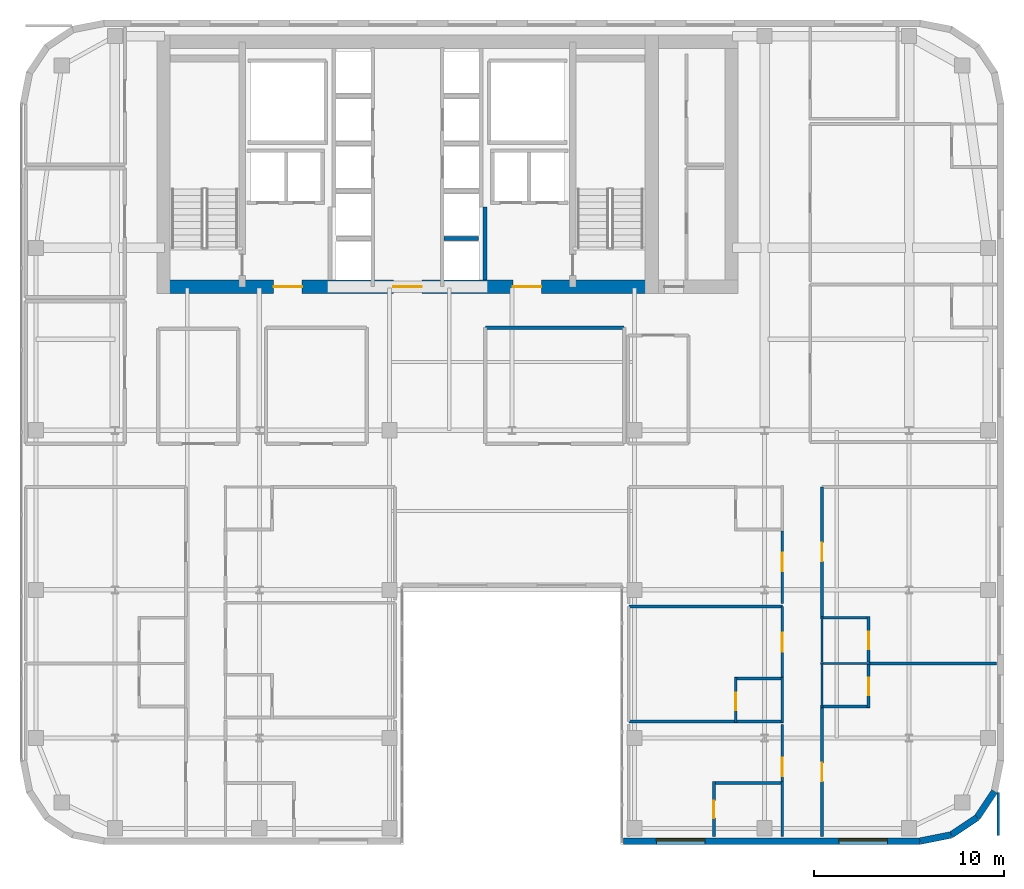
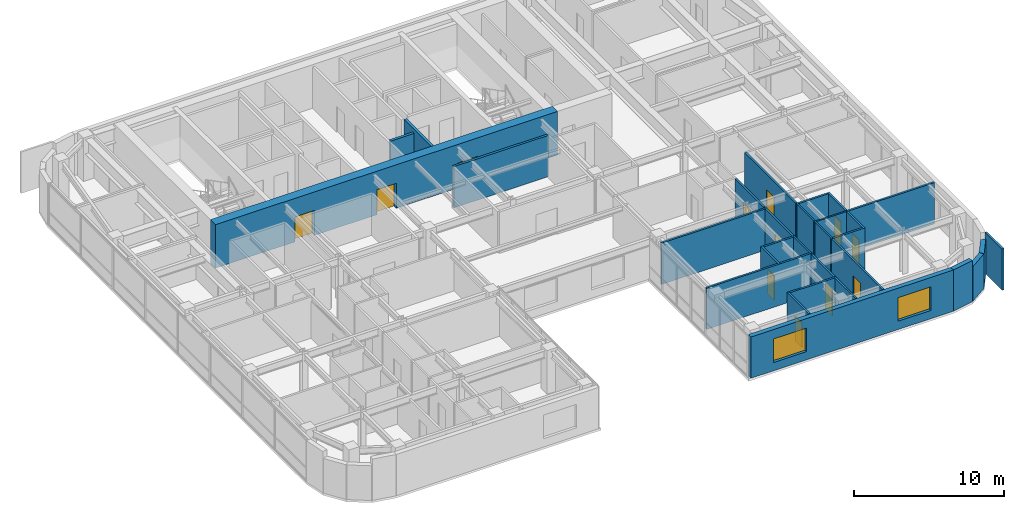
# One storey, part 19 of 24: 30 walls, 12 doors, 2 windows, 14 openings.
"""IFC4 building model written with IfcOpenShell, lengths in metres."""

from ifc_helpers import new_model, si_unit, direction, frame, frame_2d, origin, place, context, subcontext, project, spatial, rectangle, extrude, source, transform, mapped, material, layer, layer_set, type_object, type_shapes, element, fill, save


model = new_model("IFC4")

# Units and contexts
model_context = context("Model", 3, precision=1e-05, world=origin(), true_north=direction((0.0, 1.0)))
body_context = subcontext(model_context, "Body", "Model", "MODEL_VIEW")
ifc_project = project(units=[si_unit("LENGTHUNIT", "METRE"), si_unit("AREAUNIT", "SQUARE_METRE"), si_unit("VOLUMEUNIT", "CUBIC_METRE"), si_unit("PLANEANGLEUNIT", "RADIAN"), si_unit("MASSUNIT", "GRAM", prefix="KILO")], contexts=[model_context])

# Site, building, storey
site_placement = place(None, origin())
site = spatial("IfcSite", under=ifc_project, at=site_placement, CompositionType="ELEMENT")
building_placement = place(site_placement, origin())
building = spatial("IfcBuilding", under=site, at=building_placement, Name="Tolvann Quenvar Hotel", CompositionType="ELEMENT")
storey_placement = place(building_placement, frame((0.0, 0.0, 194.64990234375)))
storey = spatial("IfcBuildingStorey", under=building, at=storey_placement, Name="L51", CompositionType="ELEMENT", Elevation=194.64990234375)

# Wall, openings, doors
ifc_material_1 = material(Name="Concrete S65 (65 MPa)", Category="concrete")
ifc_layer_1 = layer(ifc_material_1, 0.699951171875)
ifc_layer_set_1 = layer_set([ifc_layer_1], Name="Concrete S65 (65 MPa)")
wall_type_1 = type_object("IfcWallType", Name="WALL_CORE_700", PredefinedType="SHEAR", material=ifc_layer_set_1)
wall_1_placement = place(storey_placement, frame((9.800048828125, 31.949951171875, 0.0), z_axis=(0.0, 0.0, 1.0), x_axis=(1.0, 0.0, 0.0)))
wall_1 = element("IfcWall", 1, at=wall_1_placement, inside=storey, type_object=wall_type_1, Name="Rear Core S Shear Wall (L51)", PredefinedType="SHEAR", context=body_context, shape_type="SweptSolid", body=[
    extrude(rectangle(XDim=26.39990234375, YDim=0.699951171875, at=frame_2d((13.199951171875, 0.0))), origin(), (0.0, 0.0, 1.0), 3.550048828125),
])
opening_1_placement = place(wall_1_placement, frame((7.64990234375, 0.0, 0.0), z_axis=(0.0, 0.0, 1.0), x_axis=(-1.0, 0.0, 0.0)))
opening_1 = element("IfcOpeningElement", 2, at=opening_1_placement, cuts=wall_1, Name="Opening FD-60D", PredefinedType="OPENING", context=body_context, shape_type="SweptSolid", body=[
    extrude(rectangle(XDim=1.5, YDim=2.0400390625, at=frame_2d((0.75, 1.02001953125))), frame((0.0, 0.35986328125, 0.0), z_axis=(0.0, -1.0, 0.0), x_axis=(1.0, 0.0, 0.0)), (0.0, 0.0, 1.0), 0.719970703125),
])
opening_2_placement = place(wall_1_placement, frame((13.949951171875, 0.0, 0.0), z_axis=(0.0, 0.0, 1.0), x_axis=(-1.0, 0.0, 0.0)))
opening_2 = element("IfcOpeningElement", 3, at=opening_2_placement, cuts=wall_1, Name="Opening FD-60D", PredefinedType="OPENING", context=body_context, shape_type="SweptSolid", body=[
    extrude(rectangle(XDim=1.5, YDim=2.0400390625, at=frame_2d((0.75, 1.02001953125))), frame((0.0, 0.35986328125, 0.0), z_axis=(0.0, -1.0, 0.0), x_axis=(1.0, 0.0, 0.0)), (0.0, 0.0, 1.0), 0.719970703125),
])
opening_3_placement = place(wall_1_placement, frame((20.25, 0.0, 0.0), z_axis=(0.0, 0.0, 1.0), x_axis=(-1.0, 0.0, 0.0)))
opening_3 = element("IfcOpeningElement", 4, at=opening_3_placement, cuts=wall_1, Name="Opening FD-60D", PredefinedType="OPENING", context=body_context, shape_type="SweptSolid", body=[
    extrude(rectangle(XDim=1.5, YDim=2.0400390625, at=frame_2d((0.75, 1.02001953125))), frame((0.0, 0.35986328125, 0.0), z_axis=(0.0, -1.0, 0.0), x_axis=(1.0, 0.0, 0.0)), (0.0, 0.0, 1.0), 0.719970703125),
])
ifc_material_2 = material(Name="Solid-core American oak acoustic fire door leaf in steel frame", Category="steel")
door_type_1 = type_object("IfcDoorType", Name="DOOR_FIRE_LOBBY_1500", OperationType="NOTDEFINED", PredefinedType="DOOR", material=ifc_material_2)
shared_shape_1 = source(origin(), body_context, "Body", "SweptSolid", [
    extrude(rectangle(XDim=1.5, YDim=2.0400390625, at=frame_2d((0.75, 1.02001953125))), frame((0.0, 0.02490234375, 0.0), z_axis=(0.0, -1.0, 0.0), x_axis=(1.0, 0.0, 0.0)), (0.0, 0.0, 1.0), 0.050048828125),
])
type_shapes(door_type_1, [shared_shape_1])
door_1_placement = place(opening_1_placement, origin())
door_1 = element("IfcDoor", 5, at=door_1_placement, inside=storey, type_object=door_type_1, Name="Core Lobby Fire Door FFW (L51)", OperationType="DOUBLE_DOOR_SINGLE_SWING", OverallHeight=2.0400390625, OverallWidth=1.5, PredefinedType="DOOR", context=body_context, shape_type="MappedRepresentation", body=[
    mapped(shared_shape_1, transform((0.0, 0.0, 0.0), x_axis=(1.0, 0.0, 0.0), y_axis=(0.0, 1.0, 0.0), z_axis=(0.0, 0.0, 1.0), scale=1.0)),
])
fill(opening_1, door_1)
door_2_placement = place(opening_2_placement, origin())
door_2 = element("IfcDoor", 6, at=door_2_placement, inside=storey, type_object=door_type_1, Name="Core Lobby Fire Door CLOB (L51)", OperationType="DOUBLE_DOOR_SINGLE_SWING", OverallHeight=2.0400390625, OverallWidth=1.5, PredefinedType="DOOR", context=body_context, shape_type="MappedRepresentation", body=[
    mapped(shared_shape_1, transform((0.0, 0.0, 0.0), x_axis=(1.0, 0.0, 0.0), y_axis=(0.0, 1.0, 0.0), z_axis=(0.0, 0.0, 1.0), scale=1.0)),
])
fill(opening_2, door_2)
door_3_placement = place(opening_3_placement, origin())
door_3 = element("IfcDoor", 7, at=door_3_placement, inside=storey, type_object=door_type_1, Name="Core Lobby Fire Door FFE (L51)", OperationType="DOUBLE_DOOR_SINGLE_SWING", OverallHeight=2.0400390625, OverallWidth=1.5, PredefinedType="DOOR", context=body_context, shape_type="MappedRepresentation", body=[
    mapped(shared_shape_1, transform((0.0, 0.0, 0.0), x_axis=(1.0, 0.0, 0.0), y_axis=(0.0, 1.0, 0.0), z_axis=(0.0, 0.0, 1.0), scale=1.0)),
])
fill(opening_3, door_3)

# Wall, openings, windows
ifc_material_3 = material(Name="Kiln-fired red and buff architectural clay brickwork and terracotta masonry", Category="masonry")
ifc_layer_2 = layer(ifc_material_3, 0.35009765625)
ifc_layer_set_2 = layer_set([ifc_layer_2], Name="Kiln-fired red and buff architectural clay brickwork and terracotta masonry")
wall_type_2 = type_object("IfcWallType", Name="WALL_EXT_BRICK_350", PredefinedType="SOLIDWALL", material=ifc_layer_set_2)
wall_2_placement = place(storey_placement, frame((34.375, 2.77490234375, 0.0), z_axis=(0.0, 0.0, 1.0), x_axis=(1.0, 0.0, 0.0)))
wall_2 = element("IfcWall", 8, at=wall_2_placement, inside=storey, type_object=wall_type_2, Name="Exterior Chicago Brick Wall L51-E08", PredefinedType="SOLIDWALL", context=body_context, shape_type="SweptSolid", body=[
    extrude(rectangle(XDim=15.60791015625, YDim=0.35009765625, at=frame_2d((7.803955078125, 0.0))), origin(), (0.0, 0.0, 1.0), 3.3701171875),
])
opening_4_placement = place(wall_2_placement, frame((1.72607421875, 0.0, 0.679931640625)))
opening_4 = element("IfcOpeningElement", 9, at=opening_4_placement, cuts=wall_2, Name="Opening W-09", PredefinedType="OPENING", context=body_context, shape_type="SweptSolid", body=[
    extrude(rectangle(XDim=2.550048828125, YDim=1.919921875, at=frame_2d((1.27490234375, 0.9599609375))), frame((0.0, 0.18505859375, 0.0), z_axis=(0.0, -1.0, 0.0), x_axis=(1.0, 0.0, 0.0)), (0.0, 0.0, 1.0), 0.3701171875),
])
opening_5_placement = place(wall_2_placement, frame((11.3310546875, 0.0, 0.679931640625)))
opening_5 = element("IfcOpeningElement", 10, at=opening_5_placement, cuts=wall_2, Name="Opening W-09", PredefinedType="OPENING", context=body_context, shape_type="SweptSolid", body=[
    extrude(rectangle(XDim=2.550048828125, YDim=1.919921875, at=frame_2d((1.27490234375, 0.9599609375))), frame((0.0, 0.18505859375, 0.0), z_axis=(0.0, -1.0, 0.0), x_axis=(1.0, 0.0, 0.0)), (0.0, 0.0, 1.0), 0.3701171875),
])
ifc_material_4 = material(Name="Thermally broken bronze-anodised aluminium frame with double low-E glazing", Category="aluminium")
window_type = type_object("IfcWindowType", Name="WIN_LNG_2550x1950", PartitioningType="TRIPLE_PANEL_HORIZONTAL", PredefinedType="WINDOW", material=ifc_material_4)
shared_shape_2 = source(origin(), body_context, "Body", "SweptSolid", [
    extrude(rectangle(XDim=2.550048828125, YDim=1.919921875, at=frame_2d((1.27490234375, 0.9599609375))), frame((0.0, 0.090087890625, 0.0), z_axis=(0.0, -1.0, 0.0), x_axis=(1.0, 0.0, 0.0)), (0.0, 0.0, 1.0), 0.06005859375),
])
type_shapes(window_type, [shared_shape_2])
window_1_placement = place(opening_4_placement, origin())
window_1 = element("IfcWindow", 11, at=window_1_placement, inside=storey, type_object=window_type, Name="Chicago Window W-09 (EW-L51-E08-W01)", OverallHeight=1.919921875, OverallWidth=2.550048828125, PartitioningType="TRIPLE_PANEL_HORIZONTAL", PredefinedType="WINDOW", context=body_context, shape_type="MappedRepresentation", body=[
    mapped(shared_shape_2, transform((0.0, 0.0, 0.0), x_axis=(1.0, 0.0, 0.0), y_axis=(0.0, 1.0, 0.0), z_axis=(0.0, 0.0, 1.0), scale=1.0)),
])
fill(opening_4, window_1)
window_2_placement = place(opening_5_placement, origin())
window_2 = element("IfcWindow", 12, at=window_2_placement, inside=storey, type_object=window_type, Name="Chicago Window W-09 (EW-L51-E08-W02)", OverallHeight=1.919921875, OverallWidth=2.550048828125, PartitioningType="TRIPLE_PANEL_HORIZONTAL", PredefinedType="WINDOW", context=body_context, shape_type="MappedRepresentation", body=[
    mapped(shared_shape_2, transform((0.0, 0.0, 0.0), x_axis=(1.0, 0.0, 0.0), y_axis=(0.0, 1.0, 0.0), z_axis=(0.0, 0.0, 1.0), scale=1.0)),
])
fill(opening_5, window_2)

# Walls
wall_3_placement = place(storey_placement, frame((49.98291015625, 2.77490234375, 0.0), z_axis=(0.0, 0.0, 1.0), x_axis=(0.980788844421, 0.195072403631, 0.0)))
element("IfcWall", 13, at=wall_3_placement, inside=storey, type_object=wall_type_2, Name="Exterior Chicago Brick Wall L51-E09", PredefinedType="SOLIDWALL", context=body_context, shape_type="SweptSolid", body=[
    extrude(rectangle(XDim=1.66455078125, YDim=0.35009765625, at=frame_2d((0.832275390625, 0.0))), origin(), (0.0, 0.0, 1.0), 3.3701171875),
])
for number, where, z_axis, x_axis, name in (
    (14, (51.615478515625, 3.099609375, 0.0), (0.0, 0.0, 1.0), (0.831434158098, 0.555623290322, 0.0), "Exterior Chicago Brick Wall L51-E10"),
    (15, (52.985107421875, 4.014892578125, 0.0), (0.0, 0.0, 1.0), (0.555623290322, 0.831434158098, 0.0), "Exterior Chicago Brick Wall L51-E11"),
):
    element("IfcWall", number, at=place(storey_placement, frame(where, z_axis=z_axis, x_axis=x_axis)), inside=storey, type_object=wall_type_2, Name=name, PredefinedType="SOLIDWALL", context=body_context, shape_type="SweptSolid", body=[
        extrude(rectangle(XDim=1.647216796875, YDim=0.35009765625, at=frame_2d((0.82373046875, 0.0))), origin(), (0.0, 0.0, 1.0), 2.83203125),
    ])
ifc_material_5 = material(Name="Acoustic twin-stud fire-rated gypsum plasterboard partition")
ifc_layer_3 = layer(ifc_material_5, 0.179931640625)
ifc_layer_set_3 = layer_set([ifc_layer_3], Name="Acoustic twin-stud fire-rated gypsum plasterboard partition")
wall_type_3 = type_object("IfcWallType", Name="WALL_PART_ACOUSTIC_180", PredefinedType="PARTITIONING", material=ifc_layer_set_3)
wall_4_placement = place(storey_placement, frame((27.10009765625, 29.800048828125, 0.0), z_axis=(0.0, 0.0, 1.0), x_axis=(1.0, 0.0, 0.0)))
element("IfcWall", 16, at=wall_4_placement, inside=storey, type_object=wall_type_3, Name="Interior Partition PT-SPC-L51-MSP-C-N", PredefinedType="PARTITIONING", context=body_context, shape_type="SweptSolid", body=[
    extrude(rectangle(XDim=7.2998046875, YDim=0.179931640625, at=frame_2d((3.64990234375, 0.0))), origin(), (0.0, 0.0, 1.0), 3.3701171875),
])
ifc_material_6 = material(Name="Moisture-resistant acoustic plumbing wall assembly")
ifc_layer_4 = layer(ifc_material_6, 0.1201171875)
ifc_layer_set_4 = layer_set([ifc_layer_4], Name="Moisture-resistant acoustic plumbing wall assembly")
wall_type_4 = type_object("IfcWallType", Name="WALL_PART_BATH_120", PredefinedType="PLUMBINGWALL", material=ifc_layer_set_4)
wall_5_placement = place(storey_placement, frame((42.72998046875, 3.0048828125, 0.0), z_axis=(0.0, 0.0, 1.0), x_axis=(0.0, 1.0, 0.0)))
element("IfcWall", 17, at=wall_5_placement, inside=storey, type_object=wall_type_4, Name="Non-Rated Plumbing Partition PT-SPC-L51-ENS-EI01-E", PredefinedType="PLUMBINGWALL", context=body_context, shape_type="SweptSolid", body=[
    extrude(rectangle(XDim=2.89501953125, YDim=0.1201171875, at=frame_2d((1.447509765625, 0.0))), origin(), (0.0, 0.0, 1.0), 3.3701171875),
])
wall_6_placement = place(storey_placement, frame((42.72998046875, 9.010009765625, 0.0), z_axis=(0.0, 0.0, 1.0), x_axis=(0.0, 1.0, 0.0)))
element("IfcWall", 18, at=wall_6_placement, inside=storey, type_object=wall_type_4, Name="Non-Rated Plumbing Partition PT-SPC-L51-ENS-EI02-E", PredefinedType="PLUMBINGWALL", context=body_context, shape_type="SweptSolid", body=[
    extrude(rectangle(XDim=2.389892578125, YDim=0.1201171875, at=frame_2d((1.19482421875, 0.0))), origin(), (0.0, 0.0, 1.0), 3.3701171875),
])
wall_7_placement = place(storey_placement, frame((44.75, 12.1201171875, 0.0), z_axis=(0.0, 0.0, 1.0), x_axis=(1.0, 0.0, 0.0)))
element("IfcWall", 19, at=wall_7_placement, inside=storey, type_object=wall_type_4, Name="Non-Rated Plumbing Partition PT-SPC-L51-ENS-EO01-N", PredefinedType="PLUMBINGWALL", context=body_context, shape_type="SweptSolid", body=[
    extrude(rectangle(XDim=2.590087890625, YDim=0.1201171875, at=frame_2d((1.294921875, 0.0))), origin(), (0.0, 0.0, 1.0), 3.3701171875),
])
wall_8_placement = place(storey_placement, frame((44.820068359375, 9.800048828125, 0.0), z_axis=(0.0, 0.0, 1.0), x_axis=(0.0, 1.0, 0.0)))
element("IfcWall", 20, at=wall_8_placement, inside=storey, type_object=wall_type_4, Name="Non-Rated Plumbing Partition PT-SPC-L51-ENS-EO01-W", PredefinedType="PLUMBINGWALL", context=body_context, shape_type="SweptSolid", body=[
    extrude(rectangle(XDim=2.389892578125, YDim=0.1201171875, at=frame_2d((1.19482421875, 0.0))), origin(), (0.0, 0.0, 1.0), 3.3701171875),
])
wall_9_placement = place(storey_placement, frame((44.820068359375, 12.2099609375, 0.0), z_axis=(0.0, 0.0, 1.0), x_axis=(0.0, 1.0, 0.0)))
element("IfcWall", 21, at=wall_9_placement, inside=storey, type_object=wall_type_4, Name="Non-Rated Plumbing Partition PT-SPC-L51-ENS-EO02-W", PredefinedType="PLUMBINGWALL", context=body_context, shape_type="SweptSolid", body=[
    extrude(rectangle(XDim=2.39013671875, YDim=0.1201171875, at=frame_2d((1.195068359375, 0.0))), origin(), (0.0, 0.0, 1.0), 3.3701171875),
])

# Wall, opening, door
ifc_layer_5 = layer(ifc_material_5, 0.14990234375)
ifc_layer_set_5 = layer_set([ifc_layer_5], Name="Acoustic twin-stud fire-rated gypsum plasterboard partition")
wall_type_5 = type_object("IfcWallType", Name="WALL_PART_SUITE_150", PredefinedType="PARTITIONING", material=ifc_layer_set_5)
wall_10_placement = place(storey_placement, frame((39.1298828125, 3.0048828125, 0.0), z_axis=(0.0, 0.0, 1.0), x_axis=(0.0, 1.0, 0.0)))
wall_10 = element("IfcWall", 22, at=wall_10_placement, inside=storey, type_object=wall_type_5, Name="Interior Partition PT-SPC-L51-ENS-EI01-ENT", PredefinedType="PARTITIONING", context=body_context, shape_type="SweptSolid", body=[
    extrude(rectangle(XDim=2.89501953125, YDim=0.14990234375, at=frame_2d((1.447509765625, 0.0))), origin(), (0.0, 0.0, 1.0), 3.3701171875),
])
opening_6_placement = place(wall_10_placement, frame((0.97998046875, 0.0, 0.0)))
opening_6 = element("IfcOpeningElement", 23, at=opening_6_placement, cuts=wall_10, Name="Opening WD-01", PredefinedType="OPENING", context=body_context, shape_type="SweptSolid", body=[
    extrude(rectangle(XDim=0.919921875, YDim=2.010009765625, at=frame_2d((0.4599609375, 1.0048828125))), frame((0.0, 0.0849609375, 0.0), z_axis=(0.0, -1.0, 0.0), x_axis=(1.0, 0.0, 0.0)), (0.0, 0.0, 1.0), 0.169921875),
])
door_type_2 = type_object("IfcDoorType", Name="DOOR_WC_920", OperationType="NOTDEFINED", PredefinedType="DOOR", material=ifc_material_2)
shared_shape_3 = source(origin(), body_context, "Body", "SweptSolid", [
    extrude(rectangle(XDim=0.919921875, YDim=2.010009765625, at=frame_2d((0.4599609375, 1.0048828125))), frame((0.0, 0.02490234375, 0.0), z_axis=(0.0, -1.0, 0.0), x_axis=(1.0, 0.0, 0.0)), (0.0, 0.0, 1.0), 0.050048828125),
])
type_shapes(door_type_2, [shared_shape_3])
door_4_placement = place(opening_6_placement, origin())
door_4 = element("IfcDoor", 24, at=door_4_placement, inside=storey, type_object=door_type_2, Name="Interior Door DOOR-SPC-L51-ENS-EI01", OperationType="SINGLE_SWING_LEFT", OverallHeight=2.010009765625, OverallWidth=0.919921875, PredefinedType="DOOR", context=body_context, shape_type="MappedRepresentation", body=[
    mapped(shared_shape_3, transform((0.0, 0.0, 0.0), x_axis=(1.0, 0.0, 0.0), y_axis=(0.0, 1.0, 0.0), z_axis=(0.0, 0.0, 1.0), scale=1.0)),
])
fill(opening_6, door_4)

# Wall
wall_11_placement = place(storey_placement, frame((39.06005859375, 5.830078125, 0.0), z_axis=(0.0, 0.0, 1.0), x_axis=(1.0, 0.0, 0.0)))
element("IfcWall", 25, at=wall_11_placement, inside=storey, type_object=wall_type_5, Name="Interior Partition PT-SPC-L51-ENS-EI01-N", PredefinedType="PARTITIONING", context=body_context, shape_type="SweptSolid", body=[
    extrude(rectangle(XDim=3.739990234375, YDim=0.14990234375, at=frame_2d((1.8701171875, 0.0))), origin(), (0.0, 0.0, 1.0), 3.3701171875),
])

# Wall, opening, door
wall_12_placement = place(storey_placement, frame((40.280029296875, 9.010009765625, 0.0), z_axis=(0.0, 0.0, 1.0), x_axis=(0.0, 1.0, 0.0)))
wall_12 = element("IfcWall", 26, at=wall_12_placement, inside=storey, type_object=wall_type_5, Name="Interior Partition PT-SPC-L51-ENS-EI02-ENT", PredefinedType="PARTITIONING", context=body_context, shape_type="SweptSolid", body=[
    extrude(rectangle(XDim=2.389892578125, YDim=0.14990234375, at=frame_2d((1.19482421875, 0.0))), origin(), (0.0, 0.0, 1.0), 3.3701171875),
])
opening_7_placement = place(wall_12_placement, frame((0.6650390625, 0.0, 0.0)))
opening_7 = element("IfcOpeningElement", 27, at=opening_7_placement, cuts=wall_12, Name="Opening WD-01", PredefinedType="OPENING", context=body_context, shape_type="SweptSolid", body=[
    extrude(rectangle(XDim=0.919921875, YDim=2.010009765625, at=frame_2d((0.4599609375, 1.0048828125))), frame((0.0, 0.0849609375, 0.0), z_axis=(0.0, -1.0, 0.0), x_axis=(1.0, 0.0, 0.0)), (0.0, 0.0, 1.0), 0.169921875),
])
door_5_placement = place(opening_7_placement, origin())
door_5 = element("IfcDoor", 28, at=door_5_placement, inside=storey, type_object=door_type_2, Name="Interior Door DOOR-SPC-L51-ENS-EI02", OperationType="SINGLE_SWING_RIGHT", OverallHeight=2.010009765625, OverallWidth=0.919921875, PredefinedType="DOOR", context=body_context, shape_type="MappedRepresentation", body=[
    mapped(shared_shape_3, transform((0.0, 0.0, 0.0), x_axis=(1.0, 0.0, 0.0), y_axis=(0.0, 1.0, 0.0), z_axis=(0.0, 0.0, 1.0), scale=1.0)),
])
fill(opening_7, door_5)

# Walls
wall_13_placement = place(storey_placement, frame((34.64990234375, 9.080078125, 0.0), z_axis=(0.0, 0.0, 1.0), x_axis=(1.0, 0.0, 0.0)))
element("IfcWall", 29, at=wall_13_placement, inside=storey, type_object=wall_type_5, Name="Interior Partition PT-SPC-L51-ENS-EI02-S", PredefinedType="PARTITIONING", context=body_context, shape_type="SweptSolid", body=[
    extrude(rectangle(XDim=8.150146484375, YDim=0.14990234375, at=frame_2d((4.0751953125, 0.0))), origin(), (0.0, 0.0, 1.0), 3.3701171875),
])
wall_14_placement = place(storey_placement, frame((40.2099609375, 11.330078125, 0.0), z_axis=(0.0, 0.0, 1.0), x_axis=(1.0, 0.0, 0.0)))
element("IfcWall", 30, at=wall_14_placement, inside=storey, type_object=wall_type_5, Name="Interior Partition PT-SPC-L51-ENS-EI02-N", PredefinedType="PARTITIONING", context=body_context, shape_type="SweptSolid", body=[
    extrude(rectangle(XDim=2.590087890625, YDim=0.14990234375, at=frame_2d((1.294921875, 0.0))), origin(), (0.0, 0.0, 1.0), 3.3701171875),
])

# Wall, opening, door
wall_15_placement = place(storey_placement, frame((47.27001953125, 9.800048828125, 0.0), z_axis=(0.0, 0.0, 1.0), x_axis=(0.0, 1.0, 0.0)))
wall_15 = element("IfcWall", 31, at=wall_15_placement, inside=storey, type_object=wall_type_5, Name="Interior Partition PT-SPC-L51-ENS-EO01-ENT", PredefinedType="PARTITIONING", context=body_context, shape_type="SweptSolid", body=[
    extrude(rectangle(XDim=2.389892578125, YDim=0.14990234375, at=frame_2d((1.19482421875, 0.0))), origin(), (0.0, 0.0, 1.0), 3.3701171875),
])
opening_8_placement = place(wall_15_placement, frame((0.6650390625, 0.0, 0.0)))
opening_8 = element("IfcOpeningElement", 32, at=opening_8_placement, cuts=wall_15, Name="Opening WD-01", PredefinedType="OPENING", context=body_context, shape_type="SweptSolid", body=[
    extrude(rectangle(XDim=0.919921875, YDim=2.010009765625, at=frame_2d((0.4599609375, 1.0048828125))), frame((0.0, 0.0849609375, 0.0), z_axis=(0.0, -1.0, 0.0), x_axis=(1.0, 0.0, 0.0)), (0.0, 0.0, 1.0), 0.169921875),
])
door_6_placement = place(opening_8_placement, origin())
door_6 = element("IfcDoor", 33, at=door_6_placement, inside=storey, type_object=door_type_2, Name="Interior Door DOOR-SPC-L51-ENS-EO01", OperationType="SINGLE_SWING_RIGHT", OverallHeight=2.010009765625, OverallWidth=0.919921875, PredefinedType="DOOR", context=body_context, shape_type="MappedRepresentation", body=[
    mapped(shared_shape_3, transform((0.0, 0.0, 0.0), x_axis=(1.0, 0.0, 0.0), y_axis=(0.0, 1.0, 0.0), z_axis=(0.0, 0.0, 1.0), scale=1.0)),
])
fill(opening_8, door_6)

# Wall
wall_16_placement = place(storey_placement, frame((44.75, 9.8701171875, 0.0), z_axis=(0.0, 0.0, 1.0), x_axis=(1.0, 0.0, 0.0)))
element("IfcWall", 34, at=wall_16_placement, inside=storey, type_object=wall_type_5, Name="Interior Partition PT-SPC-L51-ENS-EO01-S", PredefinedType="PARTITIONING", context=body_context, shape_type="SweptSolid", body=[
    extrude(rectangle(XDim=2.590087890625, YDim=0.14990234375, at=frame_2d((1.294921875, 0.0))), origin(), (0.0, 0.0, 1.0), 3.3701171875),
])

# Wall, opening, door
wall_17_placement = place(storey_placement, frame((47.27001953125, 12.2099609375, 0.0), z_axis=(0.0, 0.0, 1.0), x_axis=(0.0, 1.0, 0.0)))
wall_17 = element("IfcWall", 35, at=wall_17_placement, inside=storey, type_object=wall_type_5, Name="Interior Partition PT-SPC-L51-ENS-EO02-ENT", PredefinedType="PARTITIONING", context=body_context, shape_type="SweptSolid", body=[
    extrude(rectangle(XDim=2.39013671875, YDim=0.14990234375, at=frame_2d((1.195068359375, 0.0))), origin(), (0.0, 0.0, 1.0), 3.3701171875),
])
opening_9_placement = place(wall_17_placement, frame((0.6650390625, 0.0, 0.0)))
opening_9 = element("IfcOpeningElement", 36, at=opening_9_placement, cuts=wall_17, Name="Opening WD-01", PredefinedType="OPENING", context=body_context, shape_type="SweptSolid", body=[
    extrude(rectangle(XDim=0.919921875, YDim=2.010009765625, at=frame_2d((0.4599609375, 1.0048828125))), frame((0.0, 0.0849609375, 0.0), z_axis=(0.0, -1.0, 0.0), x_axis=(1.0, 0.0, 0.0)), (0.0, 0.0, 1.0), 0.169921875),
])
door_7_placement = place(opening_9_placement, origin())
door_7 = element("IfcDoor", 37, at=door_7_placement, inside=storey, type_object=door_type_2, Name="Interior Door DOOR-SPC-L51-ENS-EO02", OperationType="SINGLE_SWING_LEFT", OverallHeight=2.010009765625, OverallWidth=0.919921875, PredefinedType="DOOR", context=body_context, shape_type="MappedRepresentation", body=[
    mapped(shared_shape_3, transform((0.0, 0.0, 0.0), x_axis=(1.0, 0.0, 0.0), y_axis=(0.0, 1.0, 0.0), z_axis=(0.0, 0.0, 1.0), scale=1.0)),
])
fill(opening_9, door_7)

# Wall
wall_18_placement = place(storey_placement, frame((44.75, 14.530029296875, 0.0), z_axis=(0.0, 0.0, 1.0), x_axis=(1.0, 0.0, 0.0)))
element("IfcWall", 38, at=wall_18_placement, inside=storey, type_object=wall_type_5, Name="Interior Partition PT-SPC-L51-ENS-EO02-N", PredefinedType="PARTITIONING", context=body_context, shape_type="SweptSolid", body=[
    extrude(rectangle(XDim=2.590087890625, YDim=0.14990234375, at=frame_2d((1.294921875, 0.0))), origin(), (0.0, 0.0, 1.0), 3.3701171875),
])

# Wall, opening, door
wall_19_placement = place(storey_placement, frame((42.72998046875, 5.909912109375, 0.0), z_axis=(0.0, 0.0, 1.0), x_axis=(0.0, 1.0, 0.0)))
wall_19 = element("IfcWall", 39, at=wall_19_placement, inside=storey, type_object=wall_type_5, Name="Interior Partition PT-SPC-L51-RM-EI01-ENT", PredefinedType="PARTITIONING", context=body_context, shape_type="SweptSolid", body=[
    extrude(rectangle(XDim=3.010009765625, YDim=0.14990234375, at=frame_2d((1.5048828125, 0.0))), origin(), (0.0, 0.0, 1.0), 3.3701171875),
])
opening_10_placement = place(wall_19_placement, frame((0.27001953125, 0.0, 0.0)))
opening_10 = element("IfcOpeningElement", 40, at=opening_10_placement, cuts=wall_19, Name="Opening SD-01", PredefinedType="OPENING", context=body_context, shape_type="SweptSolid", body=[
    extrude(rectangle(XDim=0.97998046875, YDim=2.1201171875, at=frame_2d((0.489990234375, 1.06005859375))), frame((0.0, 0.0849609375, 0.0), z_axis=(0.0, -1.0, 0.0), x_axis=(1.0, 0.0, 0.0)), (0.0, 0.0, 1.0), 0.169921875),
])
door_type_3 = type_object("IfcDoorType", Name="DOOR_SUITE_980", OperationType="NOTDEFINED", PredefinedType="DOOR", material=ifc_material_2)
shared_shape_4 = source(origin(), body_context, "Body", "SweptSolid", [
    extrude(rectangle(XDim=0.97998046875, YDim=2.1201171875, at=frame_2d((0.489990234375, 1.06005859375))), frame((0.0, 0.02490234375, 0.0), z_axis=(0.0, -1.0, 0.0), x_axis=(1.0, 0.0, 0.0)), (0.0, 0.0, 1.0), 0.050048828125),
])
type_shapes(door_type_3, [shared_shape_4])
door_8_placement = place(opening_10_placement, origin())
door_8 = element("IfcDoor", 41, at=door_8_placement, inside=storey, type_object=door_type_3, Name="Interior Door DOOR-SPC-L51-RM-EI01", OperationType="SINGLE_SWING_LEFT", OverallHeight=2.1201171875, OverallWidth=0.97998046875, PredefinedType="DOOR", context=body_context, shape_type="MappedRepresentation", body=[
    mapped(shared_shape_4, transform((0.0, 0.0, 0.0), x_axis=(1.0, 0.0, 0.0), y_axis=(0.0, 1.0, 0.0), z_axis=(0.0, 0.0, 1.0), scale=1.0)),
])
fill(opening_10, door_8)

wall_20_placement = place(storey_placement, frame((42.72998046875, 11.409912109375, 0.0), z_axis=(0.0, 0.0, 1.0), x_axis=(0.0, 1.0, 0.0)))
wall_20 = element("IfcWall", 42, at=wall_20_placement, inside=storey, type_object=wall_type_5, Name="Interior Partition PT-SPC-L51-RM-EI02-ENT", PredefinedType="PARTITIONING", context=body_context, shape_type="SweptSolid", body=[
    extrude(rectangle(XDim=3.710205078125, YDim=0.14990234375, at=frame_2d((1.85498046875, 0.0))), origin(), (0.0, 0.0, 1.0), 3.3701171875),
])
opening_11_placement = place(wall_20_placement, frame((1.344970703125, 0.0, 0.0)))
opening_11 = element("IfcOpeningElement", 43, at=opening_11_placement, cuts=wall_20, Name="Opening SD-01", PredefinedType="OPENING", context=body_context, shape_type="SweptSolid", body=[
    extrude(rectangle(XDim=0.97998046875, YDim=2.1201171875, at=frame_2d((0.489990234375, 1.06005859375))), frame((0.0, 0.0849609375, 0.0), z_axis=(0.0, -1.0, 0.0), x_axis=(1.0, 0.0, 0.0)), (0.0, 0.0, 1.0), 0.169921875),
])
door_9_placement = place(opening_11_placement, origin())
door_9 = element("IfcDoor", 44, at=door_9_placement, inside=storey, type_object=door_type_3, Name="Interior Door DOOR-SPC-L51-RM-EI02", OperationType="SINGLE_SWING_RIGHT", OverallHeight=2.1201171875, OverallWidth=0.97998046875, PredefinedType="DOOR", context=body_context, shape_type="MappedRepresentation", body=[
    mapped(shared_shape_4, transform((0.0, 0.0, 0.0), x_axis=(1.0, 0.0, 0.0), y_axis=(0.0, 1.0, 0.0), z_axis=(0.0, 0.0, 1.0), scale=1.0)),
])
fill(opening_11, door_9)

# Wall
wall_21_placement = place(storey_placement, frame((34.64990234375, 15.1201171875, 0.0), z_axis=(0.0, 0.0, 1.0), x_axis=(1.0, 0.0, 0.0)))
element("IfcWall", 45, at=wall_21_placement, inside=storey, type_object=wall_type_5, Name="Interior Partition PT-SPC-L51-RM-EI02-E5", PredefinedType="PARTITIONING", context=body_context, shape_type="SweptSolid", body=[
    extrude(rectangle(XDim=8.080078125, YDim=0.14990234375, at=frame_2d((4.0400390625, 0.0))), origin(), (0.0, 0.0, 1.0), 3.3701171875),
])

# Wall, opening, door
wall_22_placement = place(storey_placement, frame((42.72998046875, 15.280029296875, 0.0), z_axis=(0.0, 0.0, 1.0), x_axis=(0.0, 1.0, 0.0)))
wall_22 = element("IfcWall", 46, at=wall_22_placement, inside=storey, type_object=wall_type_5, Name="Interior Partition PT-SPC-L51-RM-EI03-ENT", PredefinedType="PARTITIONING", context=body_context, shape_type="SweptSolid", body=[
    extrude(rectangle(XDim=3.81005859375, YDim=0.14990234375, at=frame_2d((1.905029296875, 0.0))), origin(), (0.0, 0.0, 1.0), 3.3701171875),
])
opening_12_placement = place(wall_22_placement, frame((1.695068359375, 0.0, 0.0)))
opening_12 = element("IfcOpeningElement", 47, at=opening_12_placement, cuts=wall_22, Name="Opening SD-01", PredefinedType="OPENING", context=body_context, shape_type="SweptSolid", body=[
    extrude(rectangle(XDim=0.97998046875, YDim=2.1201171875, at=frame_2d((0.489990234375, 1.06005859375))), frame((0.0, 0.0849609375, 0.0), z_axis=(0.0, -1.0, 0.0), x_axis=(1.0, 0.0, 0.0)), (0.0, 0.0, 1.0), 0.169921875),
])
door_10_placement = place(opening_12_placement, origin())
door_10 = element("IfcDoor", 48, at=door_10_placement, inside=storey, type_object=door_type_3, Name="Interior Door DOOR-SPC-L51-RM-EI03", OperationType="SINGLE_SWING_LEFT", OverallHeight=2.1201171875, OverallWidth=0.97998046875, PredefinedType="DOOR", context=body_context, shape_type="MappedRepresentation", body=[
    mapped(shared_shape_4, transform((0.0, 0.0, 0.0), x_axis=(1.0, 0.0, 0.0), y_axis=(0.0, 1.0, 0.0), z_axis=(0.0, 0.0, 1.0), scale=1.0)),
])
fill(opening_12, door_10)

wall_23_placement = place(storey_placement, frame((44.820068359375, 3.0048828125, 0.0), z_axis=(0.0, 0.0, 1.0), x_axis=(0.0, 1.0, 0.0)))
wall_23 = element("IfcWall", 49, at=wall_23_placement, inside=storey, type_object=wall_type_5, Name="Interior Partition PT-SPC-L51-RM-EO01-ENT", PredefinedType="PARTITIONING", context=body_context, shape_type="SweptSolid", body=[
    extrude(rectangle(XDim=6.78515625, YDim=0.14990234375, at=frame_2d((3.392578125, 0.0))), origin(), (0.0, 0.0, 1.0), 3.3701171875),
])
opening_13_placement = place(wall_23_placement, frame((2.909912109375, 0.0, 0.0)))
opening_13 = element("IfcOpeningElement", 50, at=opening_13_placement, cuts=wall_23, Name="Opening SD-01", PredefinedType="OPENING", context=body_context, shape_type="SweptSolid", body=[
    extrude(rectangle(XDim=0.97998046875, YDim=2.1201171875, at=frame_2d((0.489990234375, 1.06005859375))), frame((0.0, 0.0849609375, 0.0), z_axis=(0.0, -1.0, 0.0), x_axis=(1.0, 0.0, 0.0)), (0.0, 0.0, 1.0), 0.169921875),
])
door_11_placement = place(opening_13_placement, origin())
door_11 = element("IfcDoor", 51, at=door_11_placement, inside=storey, type_object=door_type_3, Name="Interior Door DOOR-SPC-L51-RM-EO01", OperationType="SINGLE_SWING_RIGHT", OverallHeight=2.1201171875, OverallWidth=0.97998046875, PredefinedType="DOOR", context=body_context, shape_type="MappedRepresentation", body=[
    mapped(shared_shape_4, transform((0.0, 0.0, 0.0), x_axis=(1.0, 0.0, 0.0), y_axis=(0.0, 1.0, 0.0), z_axis=(0.0, 0.0, 1.0), scale=1.0)),
])
fill(opening_13, door_11)

# Walls
wall_24_placement = place(storey_placement, frame((54.10009765625, 3.080078125, 0.0), z_axis=(0.0, 0.0, 1.0), x_axis=(0.0, 1.0, 0.0)))
element("IfcWall", 52, at=wall_24_placement, inside=storey, type_object=wall_type_5, Name="Interior Partition PT-SPC-L51-RM-EO01-E2", PredefinedType="PARTITIONING", context=body_context, shape_type="SweptSolid", body=[
    extrude(rectangle(XDim=2.264892578125, YDim=0.14990234375, at=frame_2d((1.13232421875, 0.0))), origin(), (0.0, 0.0, 1.0), 3.3701171875),
])
wall_25_placement = place(storey_placement, frame((47.2900390625, 12.1201171875, 0.0), z_axis=(0.0, 0.0, 1.0), x_axis=(1.0, 0.0, 0.0)))
element("IfcWall", 53, at=wall_25_placement, inside=storey, type_object=wall_type_5, Name="Interior Partition PT-SPC-L51-RM-EO01-E3", PredefinedType="PARTITIONING", context=body_context, shape_type="SweptSolid", body=[
    extrude(rectangle(XDim=6.705078125, YDim=0.14990234375, at=frame_2d((3.3525390625, 0.0))), origin(), (0.0, 0.0, 1.0), 3.3701171875),
])

# Wall, opening, door
wall_26_placement = place(storey_placement, frame((44.820068359375, 14.610107421875, 0.0), z_axis=(0.0, 0.0, 1.0), x_axis=(0.0, 1.0, 0.0)))
wall_26 = element("IfcWall", 54, at=wall_26_placement, inside=storey, type_object=wall_type_5, Name="Interior Partition PT-SPC-L51-RM-EO02-ENT", PredefinedType="PARTITIONING", context=body_context, shape_type="SweptSolid", body=[
    extrude(rectangle(XDim=6.809814453125, YDim=0.14990234375, at=frame_2d((3.40478515625, 0.0))), origin(), (0.0, 0.0, 1.0), 3.3701171875),
])
opening_14_placement = place(wall_26_placement, frame((2.89501953125, 0.0, 0.0)))
opening_14 = element("IfcOpeningElement", 55, at=opening_14_placement, cuts=wall_26, Name="Opening SD-01", PredefinedType="OPENING", context=body_context, shape_type="SweptSolid", body=[
    extrude(rectangle(XDim=0.97998046875, YDim=2.1201171875, at=frame_2d((0.489990234375, 1.06005859375))), frame((0.0, 0.0849609375, 0.0), z_axis=(0.0, -1.0, 0.0), x_axis=(1.0, 0.0, 0.0)), (0.0, 0.0, 1.0), 0.169921875),
])
door_12_placement = place(opening_14_placement, origin())
door_12 = element("IfcDoor", 56, at=door_12_placement, inside=storey, type_object=door_type_3, Name="Interior Door DOOR-SPC-L51-RM-EO02", OperationType="SINGLE_SWING_LEFT", OverallHeight=2.1201171875, OverallWidth=0.97998046875, PredefinedType="DOOR", context=body_context, shape_type="MappedRepresentation", body=[
    mapped(shared_shape_4, transform((0.0, 0.0, 0.0), x_axis=(1.0, 0.0, 0.0), y_axis=(0.0, 1.0, 0.0), z_axis=(0.0, 0.0, 1.0), scale=1.0)),
])
fill(opening_14, door_12)

# Walls
ifc_material_7 = material(Name="Concrete N40 (40 MPa)", Category="concrete")
ifc_layer_6 = layer(ifc_material_7, 0.199951171875)
ifc_layer_set_6 = layer_set([ifc_layer_6], Name="Concrete N40 (40 MPa)")
wall_type_6 = type_object("IfcWallType", Name="WALL_SHAFT_200", PredefinedType="SOLIDWALL", material=ifc_layer_set_6)
wall_27_placement = place(storey_placement, frame((27.080078125, 32.303955078125, 0.0), z_axis=(0.0, 0.0, 1.0), x_axis=(0.0, 1.0, 0.0)))
element("IfcWall", 57, at=wall_27_placement, inside=storey, type_object=wall_type_6, Name="Firefighting Lobby E Inner Fire Wall (L51)", PredefinedType="SOLIDWALL", context=body_context, shape_type="SweptSolid", body=[
    extrude(rectangle(XDim=3.845947265625, YDim=0.199951171875, at=frame_2d((1.9228515625, 0.0))), origin(), (0.0, 0.0, 1.0), 3.3701171875),
])
wall_28_placement = place(storey_placement, frame((24.929931640625, 34.5, 0.0), z_axis=(0.0, 0.0, 1.0), x_axis=(1.0, 0.0, 0.0)))
element("IfcWall", 58, at=wall_28_placement, inside=storey, type_object=wall_type_6, Name="Lift Bank W24.9C1 Divider Wall 1 (L51)", PredefinedType="SOLIDWALL", context=body_context, shape_type="SweptSolid", body=[
    extrude(rectangle(XDim=1.800048828125, YDim=0.199951171875, at=frame_2d((0.89990234375, 0.0))), origin(), (0.0, 0.0, 1.0), 3.3701171875),
])

save(model, "model.ifc")
